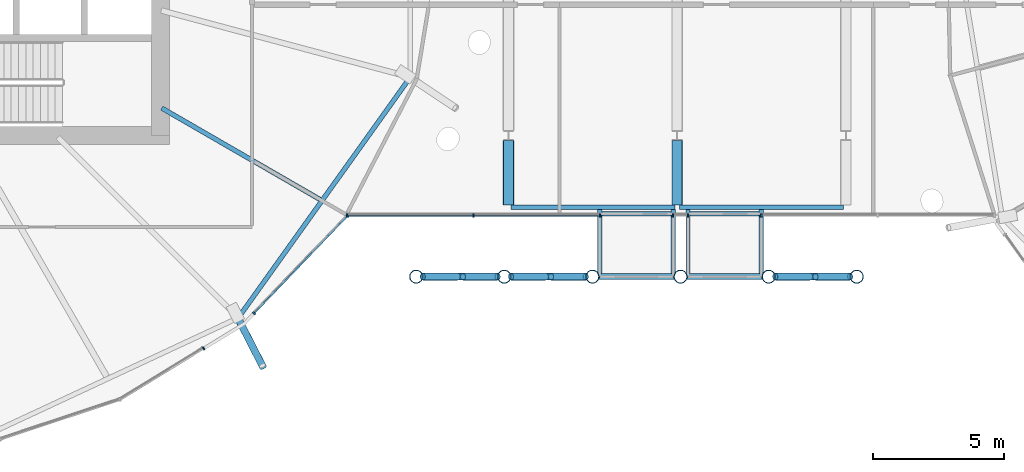
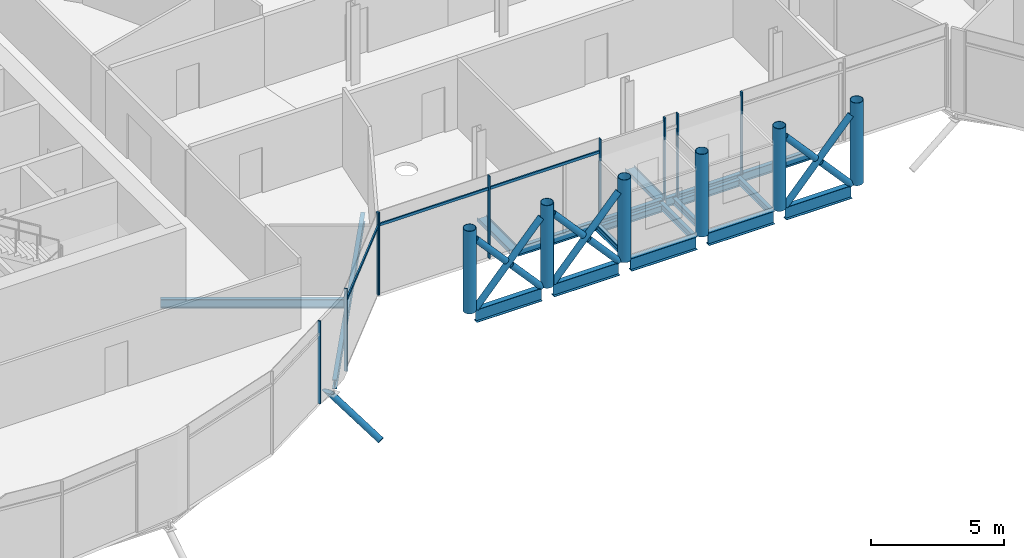
# One storey, part 6 of 40: 28 members, 17 beams, 2 elements without a shape of their own.
"""IFC4 building model written with IfcOpenShell, lengths in metres."""

from ifc_helpers import new_model, si_unit, direction, frame, origin, origin_2d, place, context, subcontext, project, spatial, rectangle, hollow_circle, i_section, extrude, clip, halfspace, material, material_profile, profile_set, type_object, element, aggregate, save


model = new_model("IFC4")

# Units and contexts
model_context = context("Model", 3, precision=1e-05, world=origin(), true_north=direction((0.0, 1.0)))
body_context = subcontext(model_context, "Body", "Model", "MODEL_VIEW")
ifc_project = project(units=[si_unit("LENGTHUNIT", "METRE"), si_unit("AREAUNIT", "SQUARE_METRE"), si_unit("VOLUMEUNIT", "CUBIC_METRE"), si_unit("PLANEANGLEUNIT", "RADIAN"), si_unit("MASSUNIT", "GRAM", prefix="KILO")], contexts=[model_context])

# Site, building, storey
site_placement = place(None, origin())
site = spatial("IfcSite", under=ifc_project, at=site_placement, CompositionType="ELEMENT")
building_placement = place(site_placement, origin())
building = spatial("IfcBuilding", under=site, at=building_placement, Name="Rimbun Link Towers", CompositionType="ELEMENT")
storey_placement = place(building_placement, frame((0.0, 0.0, 150.60009765625)))
storey = spatial("IfcBuildingStorey", under=building, at=storey_placement, Name="L36", CompositionType="ELEMENT", Elevation=150.60009765625)

# Curtain wall, members
ifc_material_1 = material(Name="Aluminium 6063-T6 and low-iron glass", Category="aluminium")
curtain_wall_type = type_object("IfcCurtainWallType", Name="CW4 link block wall", PredefinedType="NOTDEFINED", material=ifc_material_1)
curtain_wall_1_placement = place(storey_placement, origin())
curtain_wall_1 = element("IfcCurtainWall", 1, at=curtain_wall_1_placement, inside=storey, type_object=curtain_wall_type, Name="CW4 L36 T1", PredefinedType="NOTDEFINED")
ifc_material_2 = material(Name="Aluminium 6063-T6", Category="aluminium")
ifc_material_profile_1 = material_profile(ifc_material_2, rectangle(XDim=0.1201171875, YDim=0.06005859375, at=origin_2d()), Name="MULLION 60X120")
ifc_profile_set_1 = profile_set([ifc_material_profile_1], Name="Aluminium 6063-T6")
member_type_1 = type_object("IfcMemberType", Name="CW4 mullion 60X120", PredefinedType="MULLION", material=ifc_profile_set_1)
member_1_placement = place(storey_placement, frame((-18.098388671875, -16.147216796875, 0.0), z_axis=(0.0, 0.0, 1.0), x_axis=(0.523225378089, -0.852194346217, 0.0)))
member_1 = element("IfcMember", 2, at=member_1_placement, type_object=member_type_1, Name="CW4 mullion", PredefinedType="MULLION", context=body_context, shape_type="SweptSolid", body=[
    extrude(rectangle(XDim=0.1201171875, YDim=0.06005859375, at=origin_2d()), origin(), (0.0, 0.0, 1.0), 3.7998046875),
])
member_2_placement = place(storey_placement, frame((-12.599853515625, -11.07275390625, 0.0), z_axis=(0.0, 0.0, 1.0), x_axis=(0.721858090698, -0.692041109252, 0.0)))
member_2 = element("IfcMember", 3, at=member_2_placement, type_object=member_type_1, Name="CW4 mullion", PredefinedType="MULLION", context=body_context, shape_type="SweptSolid", body=[
    extrude(rectangle(XDim=0.1201171875, YDim=0.06005859375, at=origin_2d()), origin(), (0.0, 0.0, 1.0), 3.7998046875),
])
member_3_placement = place(storey_placement, frame((-16.171875, -14.798583984375, 0.0), z_axis=(0.0, 0.0, 1.0), x_axis=(0.721858090698, -0.692041109252, 0.0)))
member_3 = element("IfcMember", 4, at=member_3_placement, type_object=member_type_1, Name="CW4 mullion", PredefinedType="MULLION", context=body_context, shape_type="SweptSolid", body=[
    extrude(rectangle(XDim=0.1201171875, YDim=0.06005859375, at=origin_2d()), origin(), (0.0, 0.0, 1.0), 3.7998046875),
])

curtain_wall_2_placement = place(storey_placement, origin())
curtain_wall_2 = element("IfcCurtainWall", 5, at=curtain_wall_2_placement, inside=storey, type_object=curtain_wall_type, Name="CW4 L36 LB", PredefinedType="NOTDEFINED")
member_4_placement = place(storey_placement, frame((3.21337890625, -11.06005859375, 0.0), z_axis=(0.0, 0.0, 1.0), x_axis=(0.0, -1.0, 0.0)))
member_4 = element("IfcMember", 6, at=member_4_placement, type_object=member_type_1, Name="CW4 mullion", PredefinedType="MULLION", context=body_context, shape_type="SweptSolid", body=[
    extrude(rectangle(XDim=0.1201171875, YDim=0.06005859375, at=origin_2d()), origin(), (0.0, 0.0, 1.0), 3.7998046875),
])
member_5_placement = place(storey_placement, frame((0.413330078125, -11.06005859375, 0.0), z_axis=(0.0, 0.0, 1.0), x_axis=(0.0, -1.0, 0.0)))
member_5 = element("IfcMember", 7, at=member_5_placement, type_object=member_type_1, Name="CW4 mullion", PredefinedType="MULLION", context=body_context, shape_type="SweptSolid", body=[
    extrude(rectangle(XDim=0.1201171875, YDim=0.06005859375, at=origin_2d()), origin(), (0.0, 0.0, 1.0), 3.7998046875),
])
member_6_placement = place(storey_placement, frame((-0.15576171875, -11.06005859375, 0.0), z_axis=(0.0, 0.0, 1.0), x_axis=(0.0, -1.0, 0.0)))
member_6 = element("IfcMember", 8, at=member_6_placement, type_object=member_type_1, Name="CW4 mullion", PredefinedType="MULLION", context=body_context, shape_type="SweptSolid", body=[
    extrude(rectangle(XDim=0.1201171875, YDim=0.06005859375, at=origin_2d()), origin(), (0.0, 0.0, 1.0), 3.7998046875),
])
member_7_placement = place(storey_placement, frame((-2.95556640625, -11.06005859375, 0.0), z_axis=(0.0, 0.0, 1.0), x_axis=(0.0, -1.0, 0.0)))
member_7 = element("IfcMember", 9, at=member_7_placement, type_object=member_type_1, Name="CW4 mullion", PredefinedType="MULLION", context=body_context, shape_type="SweptSolid", body=[
    extrude(rectangle(XDim=0.1201171875, YDim=0.06005859375, at=origin_2d()), origin(), (0.0, 0.0, 1.0), 3.7998046875),
])
member_8_placement = place(storey_placement, frame((-7.791259765625, -11.06005859375, 0.0), z_axis=(0.0, 0.0, 1.0), x_axis=(0.0, -1.0, 0.0)))
member_8 = element("IfcMember", 10, at=member_8_placement, type_object=member_type_1, Name="CW4 mullion", PredefinedType="MULLION", context=body_context, shape_type="SweptSolid", body=[
    extrude(rectangle(XDim=0.1201171875, YDim=0.06005859375, at=origin_2d()), origin(), (0.0, 0.0, 1.0), 3.7998046875),
])
member_9_placement = place(storey_placement, frame((-12.626953125, -11.06005859375, 0.0), z_axis=(0.0, 0.0, 1.0), x_axis=(0.0, -1.0, 0.0)))
member_9 = element("IfcMember", 11, at=member_9_placement, type_object=member_type_1, Name="CW4 mullion", PredefinedType="MULLION", context=body_context, shape_type="SweptSolid", body=[
    extrude(rectangle(XDim=0.1201171875, YDim=0.06005859375, at=origin_2d()), origin(), (0.0, 0.0, 1.0), 3.7998046875),
])

# Member
ifc_material_3 = material(Name="Aluminium 6063-T6", Category="aluminium")
ifc_material_profile_2 = material_profile(ifc_material_3, rectangle(XDim=0.06005859375, YDim=0.1201171875, at=origin_2d()), Name="TRANSOM 60X120")
ifc_profile_set_2 = profile_set([ifc_material_profile_2], Name="Aluminium 6063-T6")
member_type_2 = type_object("IfcMemberType", Name="CW4 transom 60X120", PredefinedType="USERDEFINED", material=ifc_profile_set_2)
member_10_placement = place(storey_placement, frame((-12.6220703125, -11.093017578125, 3.199951171875), z_axis=(-0.692042551771, -0.72185670776, 0.0), x_axis=(0.72185670776, -0.692042551771, 0.0)))
member_10 = element("IfcMember", 12, at=member_10_placement, type_object=member_type_2, Name="CW4 transom", ObjectType="TRANSOM", PredefinedType="USERDEFINED", context=body_context, shape_type="SweptSolid", body=[
    extrude(rectangle(XDim=0.06005859375, YDim=0.1201171875, at=origin_2d()), origin(), (0.0, 0.0, 1.0), 5.1015625),
])

aggregate(curtain_wall_1, [member_1, member_2, member_3, member_10])

member_11_placement = place(storey_placement, frame((-2.985595703125, -11.05810546875, 3.199951171875), z_axis=(-1.0, 0.0, 0.0), x_axis=(0.0, -1.0, 0.0)))
member_11 = element("IfcMember", 13, at=member_11_placement, type_object=member_type_2, Name="CW4 transom", ObjectType="TRANSOM", PredefinedType="USERDEFINED", context=body_context, shape_type="SweptSolid", body=[
    extrude(rectangle(XDim=0.06005859375, YDim=0.1201171875, at=origin_2d()), origin(), (0.0, 0.0, 1.0), 4.775634765625),
])

member_12_placement = place(storey_placement, frame((-7.8212890625, -11.05810546875, 3.199951171875), z_axis=(-1.0, 0.0, 0.0), x_axis=(0.0, -1.0, 0.0)))
member_12 = element("IfcMember", 14, at=member_12_placement, type_object=member_type_2, Name="CW4 transom", ObjectType="TRANSOM", PredefinedType="USERDEFINED", context=body_context, shape_type="SweptSolid", body=[
    extrude(rectangle(XDim=0.06005859375, YDim=0.1201171875, at=origin_2d()), origin(), (0.0, 0.0, 1.0), 4.775634765625),
])

aggregate(curtain_wall_2, [member_4, member_5, member_6, member_7, member_8, member_9, member_11, member_12])

# Beams
ifc_material_4 = material(Name="Steel S355J2", Category="steel")
ifc_material_profile_3 = material_profile(ifc_material_4, i_section(OverallWidth=0.1650390625, OverallDepth=0.303466796875, WebThickness=0.006103515625, FlangeThickness=0.01025390625, at=origin_2d()), Name="UB 305x165x40")
ifc_profile_set_3 = profile_set([ifc_material_profile_3], Name="Steel S355J2")
beam_type_1 = type_object("IfcBeamType", Name="Capsule bracket beam UB 305x165x40", PredefinedType="BEAM", material=ifc_profile_set_3)
for number, where, z_axis, x_axis, name in (
    (15, (-2.95556640625, -10.8349609375, -0.371826171875), (0.0, -1.0, 0.0), (1.0, 0.0, 0.0), "Capsule F36.11 bracket beam 1"),
    (16, (-0.15576171875, -10.8349609375, -0.371826171875), (0.0, -1.0, 0.0), (1.0, 0.0, 0.0), "Capsule F36.11 bracket beam 2"),
):
    element("IfcBeam", number, at=place(storey_placement, frame(where, z_axis=z_axis, x_axis=x_axis)), inside=storey, type_object=beam_type_1, Name=name, PredefinedType="BEAM", context=body_context, shape_type="SweptSolid", body=[
        extrude(i_section(OverallWidth=0.1650390625, OverallDepth=0.303466796875, WebThickness=0.006103515625, FlangeThickness=0.01025390625, at=origin_2d()), origin(), (0.0, 0.0, 1.0), 2.451171875),
    ])
beam_1_placement = place(storey_placement, frame((-2.873046875, -11.0, -0.371826171875), z_axis=(1.0, 0.0, 0.0), x_axis=(0.0, 1.0, 0.0)))
element("IfcBeam", 17, at=beam_1_placement, inside=storey, type_object=beam_type_1, Name="Capsule F36.11 bracket beam 3", PredefinedType="BEAM", context=body_context, shape_type="SweptSolid", body=[
    extrude(i_section(OverallWidth=0.1650390625, OverallDepth=0.303466796875, WebThickness=0.006103515625, FlangeThickness=0.01025390625, at=origin_2d()), origin(), (0.0, 0.0, 1.0), 2.635009765625),
])
for number, where, z_axis, x_axis, name in (
    (18, (0.413330078125, -10.8349609375, -0.371826171875), (0.0, -1.0, 0.0), (1.0, 0.0, 0.0), "Capsule F36.12 bracket beam 1"),
    (19, (3.21337890625, -10.8349609375, -0.371826171875), (0.0, -1.0, 0.0), (1.0, 0.0, 0.0), "Capsule F36.12 bracket beam 2"),
):
    element("IfcBeam", number, at=place(storey_placement, frame(where, z_axis=z_axis, x_axis=x_axis)), inside=storey, type_object=beam_type_1, Name=name, PredefinedType="BEAM", context=body_context, shape_type="SweptSolid", body=[
        extrude(i_section(OverallWidth=0.1650390625, OverallDepth=0.303466796875, WebThickness=0.006103515625, FlangeThickness=0.01025390625, at=origin_2d()), origin(), (0.0, 0.0, 1.0), 2.451171875),
    ])
beam_2_placement = place(storey_placement, frame((0.495849609375, -11.0, -0.371826171875), z_axis=(1.0, 0.0, 0.0), x_axis=(0.0, 1.0, 0.0)))
element("IfcBeam", 20, at=beam_2_placement, inside=storey, type_object=beam_type_1, Name="Capsule F36.12 bracket beam 3", PredefinedType="BEAM", context=body_context, shape_type="SweptSolid", body=[
    extrude(i_section(OverallWidth=0.1650390625, OverallDepth=0.303466796875, WebThickness=0.006103515625, FlangeThickness=0.01025390625, at=origin_2d()), origin(), (0.0, 0.0, 1.0), 2.635009765625),
])

# Member
ifc_material_5 = material(Name="Steel S355J2H", Category="steel")
ifc_material_profile_4 = material_profile(ifc_material_5, hollow_circle(Radius=0.136474609375, WallThickness=0.012451171875, at=origin_2d()), Name="CHS 273x12.5")
ifc_profile_set_4 = profile_set([ifc_material_profile_4], Name="Steel S355J2H")
member_type_3 = type_object("IfcMemberType", Name="Floor edge link CHS 273x12.5", PredefinedType="BRACE", material=ifc_profile_set_4)
member_13_placement = place(storey_placement, frame((-16.81298828125, -14.93701171875, -0.8310546875), z_axis=(0.394942777673, -0.772022835281, -0.497996931886), x_axis=(0.890269507459, 0.455434083144, 0.0)))
element("IfcMember", 21, at=member_13_placement, inside=storey, type_object=member_type_3, Name="Floor edge link T1 L36 21", PredefinedType="BRACE", context=body_context, shape_type="Clipping", body=[
    clip(extrude(hollow_circle(Radius=0.136474609375, WallThickness=0.012451171875, at=origin_2d()), frame((0.0, 0.0, -0.495361328125)), (0.0, 0.0, 1.0), 2.98291015625), halfspace(frame((0.0, 0.0, -0.232666015625), z_axis=(0.0, 0.867178791157, -0.497996931886)), False)),
])

# Beams
ifc_material_6 = material(Name="Steel S355J2", Category="steel")
ifc_material_profile_5 = material_profile(ifc_material_6, i_section(OverallWidth=0.177978515625, OverallDepth=0.406494140625, WebThickness=0.0078125, FlangeThickness=0.0126953125, at=origin_2d()), Name="UKB 406x178x60")
ifc_profile_set_5 = profile_set([ifc_material_profile_5], Name="Steel S355J2")
beam_type_2 = type_object("IfcBeamType", Name="Link floor beam UKB 406x178x60", PredefinedType="BEAM", material=ifc_profile_set_5)
for number, where, z_axis, x_axis, name in (
    (22, (-6.449951171875, -10.660888671875, -0.36328125), (0.0, 1.0, 0.0), (0.0, 0.0, 1.0), "Link floor beam L36 00"),
    (23, (0.0, -10.660888671875, -0.36328125), (0.0, 1.0, 0.0), (0.0, 0.0, 1.0), "Link floor beam L36 04"),
):
    element("IfcBeam", number, at=place(storey_placement, frame(where, z_axis=z_axis, x_axis=x_axis)), inside=storey, type_object=beam_type_2, Name=name, PredefinedType="BEAM", context=body_context, shape_type="SweptSolid", body=[
        extrude(i_section(OverallWidth=0.177978515625, OverallDepth=0.406494140625, WebThickness=0.0078125, FlangeThickness=0.0126953125, at=origin_2d()), origin(), (0.0, 0.0, 1.0), 2.473388671875),
    ])
for number, where, z_axis, x_axis, name in (
    (24, (-6.361083984375, -10.75, -0.36328125), (1.0, 0.0, 0.0), (0.0, 1.0, 0.0), "Link edge beam L36 12"),
    (25, (0.089111328125, -10.75, -0.36328125), (1.0, 0.0, 0.0), (0.0, 1.0, 0.0), "Link edge beam L36 13"),
):
    element("IfcBeam", number, at=place(storey_placement, frame(where, z_axis=z_axis, x_axis=x_axis)), inside=storey, type_object=beam_type_2, Name=name, PredefinedType="BEAM", context=body_context, shape_type="SweptSolid", body=[
        extrude(i_section(OverallWidth=0.177978515625, OverallDepth=0.406494140625, WebThickness=0.0078125, FlangeThickness=0.0126953125, at=origin_2d()), origin(), (0.0, 0.0, 1.0), 6.27197265625),
    ])

# Members
ifc_material_7 = material(Name="Steel S355J2H", Category="steel")
ifc_material_profile_6 = material_profile(ifc_material_7, hollow_circle(Radius=0.136474609375, WallThickness=0.012451171875, at=origin_2d()), Name="CHS 273x12.5")
ifc_profile_set_6 = profile_set([ifc_material_profile_6], Name="Steel S355J2H")
member_type_4 = type_object("IfcMemberType", Name="Link megaframe brace CHS 273x12.5", PredefinedType="BRACE", material=ifc_profile_set_6)
member_14_placement = place(storey_placement, frame((-9.72412109375, -13.39990234375, -0.22021484375), z_axis=(0.666814818111, 0.0, 0.745223455312), x_axis=(0.0, 1.0, 0.0)))
element("IfcMember", 26, at=member_14_placement, inside=storey, type_object=member_type_4, Name="Link megaframe brace S0-1 bay 5.1", PredefinedType="BRACE", context=body_context, shape_type="SweptSolid", body=[
    extrude(hollow_circle(Radius=0.136474609375, WallThickness=0.012451171875, at=origin_2d()), origin(), (0.0, 0.0, 1.0), 4.290771484375),
])
member_15_placement = place(storey_placement, frame((-6.863037109375, -13.39990234375, -0.22021484375), z_axis=(-0.666766175991, 0.0, 0.745266976696), x_axis=(0.0, -1.0, 0.0)))
element("IfcMember", 27, at=member_15_placement, inside=storey, type_object=member_type_4, Name="Link megaframe brace S0-1 bay 5.2a", PredefinedType="BRACE", context=body_context, shape_type="SweptSolid", body=[
    extrude(hollow_circle(Radius=0.136474609375, WallThickness=0.012451171875, at=origin_2d()), origin(), (0.0, 0.0, 1.0), 1.990478515625),
])
member_16_placement = place(storey_placement, frame((-8.39697265625, -13.39990234375, 1.494140625), z_axis=(-0.666827130153, 0.0, 0.745212438498), x_axis=(0.0, -1.0, 0.0)))
element("IfcMember", 28, at=member_16_placement, inside=storey, type_object=member_type_4, Name="Link megaframe brace S0-1 bay 5.2b", PredefinedType="BRACE", context=body_context, shape_type="SweptSolid", body=[
    extrude(hollow_circle(Radius=0.136474609375, WallThickness=0.012451171875, at=origin_2d()), origin(), (0.0, 0.0, 1.0), 1.990234375),
])
member_17_placement = place(storey_placement, frame((-6.35498046875, -13.39990234375, -0.22021484375), z_axis=(0.666783216266, 0.0, 0.745251730964), x_axis=(0.0, 1.0, 0.0)))
element("IfcMember", 29, at=member_17_placement, inside=storey, type_object=member_type_4, Name="Link megaframe brace S1-2 bay 5.1", PredefinedType="BRACE", context=body_context, shape_type="SweptSolid", body=[
    extrude(hollow_circle(Radius=0.136474609375, WallThickness=0.012451171875, at=origin_2d()), origin(), (0.0, 0.0, 1.0), 4.29052734375),
])
member_18_placement = place(storey_placement, frame((-3.494140625, -13.39990234375, -0.22021484375), z_axis=(-0.666766175991, 0.0, 0.745266976696), x_axis=(0.0, -1.0, 0.0)))
element("IfcMember", 30, at=member_18_placement, inside=storey, type_object=member_type_4, Name="Link megaframe brace S1-2 bay 5.2a", PredefinedType="BRACE", context=body_context, shape_type="SweptSolid", body=[
    extrude(hollow_circle(Radius=0.136474609375, WallThickness=0.012451171875, at=origin_2d()), origin(), (0.0, 0.0, 1.0), 1.990478515625),
])
member_19_placement = place(storey_placement, frame((-5.028076171875, -13.39990234375, 1.494140625), z_axis=(-0.666758998756, 0.0, 0.745273397874), x_axis=(0.0, -1.0, 0.0)))
element("IfcMember", 31, at=member_19_placement, inside=storey, type_object=member_type_4, Name="Link megaframe brace S1-2 bay 5.2b", PredefinedType="BRACE", context=body_context, shape_type="SweptSolid", body=[
    extrude(hollow_circle(Radius=0.136474609375, WallThickness=0.012451171875, at=origin_2d()), origin(), (0.0, 0.0, 1.0), 1.989990234375),
])
member_20_placement = place(storey_placement, frame((3.751708984375, -13.39990234375, -0.22021484375), z_axis=(0.666814818111, 0.0, 0.745223455312), x_axis=(0.0, 1.0, 0.0)))
element("IfcMember", 32, at=member_20_placement, inside=storey, type_object=member_type_4, Name="Link megaframe brace S4-5 bay 5.1", PredefinedType="BRACE", context=body_context, shape_type="SweptSolid", body=[
    extrude(hollow_circle(Radius=0.136474609375, WallThickness=0.012451171875, at=origin_2d()), origin(), (0.0, 0.0, 1.0), 4.290771484375),
])
member_21_placement = place(storey_placement, frame((6.61279296875, -13.39990234375, -0.22021484375), z_axis=(-0.666766175991, 0.0, 0.745266976696), x_axis=(0.0, -1.0, 0.0)))
element("IfcMember", 33, at=member_21_placement, inside=storey, type_object=member_type_4, Name="Link megaframe brace S4-5 bay 5.2a", PredefinedType="BRACE", context=body_context, shape_type="SweptSolid", body=[
    extrude(hollow_circle(Radius=0.136474609375, WallThickness=0.012451171875, at=origin_2d()), origin(), (0.0, 0.0, 1.0), 1.990478515625),
])
member_22_placement = place(storey_placement, frame((5.078857421875, -13.39990234375, 1.494140625), z_axis=(-0.666827130153, 0.0, 0.745212438498), x_axis=(0.0, -1.0, 0.0)))
element("IfcMember", 34, at=member_22_placement, inside=storey, type_object=member_type_4, Name="Link megaframe brace S4-5 bay 5.2b", PredefinedType="BRACE", context=body_context, shape_type="SweptSolid", body=[
    extrude(hollow_circle(Radius=0.136474609375, WallThickness=0.012451171875, at=origin_2d()), origin(), (0.0, 0.0, 1.0), 1.990234375),
])
ifc_material_8 = material(Name="Steel S355J2H", Category="steel")
ifc_material_profile_7 = material_profile(ifc_material_8, hollow_circle(Radius=0.25390625, WallThickness=0.02001953125, at=origin_2d()), Name="CHS 508x20")
ifc_profile_set_7 = profile_set([ifc_material_profile_7], Name="Steel S355J2H")
member_type_5 = type_object("IfcMemberType", Name="Link megaframe post CHS 508x20", PredefinedType="POST", material=ifc_profile_set_7)
for number, where, z_axis, x_axis, name in (
    (35, (-9.97802734375, -13.39990234375, -0.22021484375), (0.0, 0.0, 1.0), (1.0, 0.0, 0.0), "Link megaframe post S0 bay 5"),
    (36, (-6.609130859375, -13.39990234375, -0.22021484375), (0.0, 0.0, 1.0), (1.0, 0.0, 0.0), "Link megaframe post S1 bay 5"),
    (37, (-3.239990234375, -13.39990234375, -0.22021484375), (0.0, 0.0, 1.0), (1.0, 0.0, 0.0), "Link megaframe post S2 bay 5"),
    (38, (0.12890625, -13.39990234375, -0.22021484375), (0.0, 0.0, 1.0), (1.0, 0.0, 0.0), "Link megaframe post S3 bay 5"),
    (39, (3.497802734375, -13.39990234375, -0.22021484375), (0.0, 0.0, 1.0), (1.0, 0.0, 0.0), "Link megaframe post S4 bay 5"),
    (40, (6.86669921875, -13.39990234375, -0.22021484375), (0.0, 0.0, 1.0), (1.0, 0.0, 0.0), "Link megaframe post S5 bay 5"),
):
    element("IfcMember", number, at=place(storey_placement, frame(where, z_axis=z_axis, x_axis=x_axis)), inside=storey, type_object=member_type_5, Name=name, PredefinedType="POST", context=body_context, shape_type="SweptSolid", body=[
        extrude(hollow_circle(Radius=0.25390625, WallThickness=0.02001953125, at=origin_2d()), origin(), (0.0, 0.0, 1.0), 3.800048828125),
    ])

# Beams
ifc_material_9 = material(Name="Steel S355J2", Category="steel")
ifc_material_profile_8 = material_profile(ifc_material_9, i_section(OverallWidth=0.2275390625, OverallDepth=0.6025390625, WebThickness=0.010498046875, FlangeThickness=0.014892578125, at=origin_2d()), Name="UB 610x229x101")
ifc_profile_set_8 = profile_set([ifc_material_profile_8], Name="Steel S355J2")
beam_type_3 = type_object("IfcBeamType", Name="Link megaframe ring beam UB 610x229x101", PredefinedType="BEAM", material=ifc_profile_set_8)
beam_3_placement = place(storey_placement, frame((-9.72412109375, -13.39990234375, -0.521484375), z_axis=(1.0, 0.0, 0.0), x_axis=(0.0, 1.0, 0.0)))
element("IfcBeam", 41, at=beam_3_placement, inside=storey, type_object=beam_type_3, Name="Link megaframe ring beam S0-1 L36", PredefinedType="BEAM", context=body_context, shape_type="SweptSolid", body=[
    extrude(i_section(OverallWidth=0.2275390625, OverallDepth=0.6025390625, WebThickness=0.010498046875, FlangeThickness=0.014892578125, at=origin_2d()), origin(), (0.0, 0.0, 1.0), 2.861083984375),
])
for number, where, z_axis, x_axis, name in (
    (42, (-6.35498046875, -13.39990234375, -0.521484375), (1.0, 0.0, 0.0), (0.0, 1.0, 0.0), "Link megaframe ring beam S1-2 L36"),
    (43, (-2.986083984375, -13.39990234375, -0.521484375), (1.0, 0.0, 0.0), (0.0, 1.0, 0.0), "Link megaframe ring beam S2-3 L36"),
):
    element("IfcBeam", number, at=place(storey_placement, frame(where, z_axis=z_axis, x_axis=x_axis)), inside=storey, type_object=beam_type_3, Name=name, PredefinedType="BEAM", context=body_context, shape_type="SweptSolid", body=[
        extrude(i_section(OverallWidth=0.2275390625, OverallDepth=0.6025390625, WebThickness=0.010498046875, FlangeThickness=0.014892578125, at=origin_2d()), origin(), (0.0, 0.0, 1.0), 2.86083984375),
    ])
for number, where, z_axis, x_axis, name in (
    (44, (0.3828125, -13.39990234375, -0.521484375), (1.0, 0.0, 0.0), (0.0, 1.0, 0.0), "Link megaframe ring beam S3-4 L36"),
    (45, (3.751708984375, -13.39990234375, -0.521484375), (1.0, 0.0, 0.0), (0.0, 1.0, 0.0), "Link megaframe ring beam S4-5 L36"),
):
    element("IfcBeam", number, at=place(storey_placement, frame(where, z_axis=z_axis, x_axis=x_axis)), inside=storey, type_object=beam_type_3, Name=name, PredefinedType="BEAM", context=body_context, shape_type="SweptSolid", body=[
        extrude(i_section(OverallWidth=0.2275390625, OverallDepth=0.6025390625, WebThickness=0.010498046875, FlangeThickness=0.014892578125, at=origin_2d()), origin(), (0.0, 0.0, 1.0), 2.861083984375),
    ])
ifc_material_10 = material(Name="Steel S355J2", Category="steel")
ifc_material_profile_9 = material_profile(ifc_material_10, i_section(OverallWidth=0.177978515625, OverallDepth=0.406494140625, WebThickness=0.0078125, FlangeThickness=0.0126953125, at=origin_2d()), Name="UB 406x178x60")
ifc_profile_set_9 = profile_set([ifc_material_profile_9], Name="Steel S355J2")
beam_type_4 = type_object("IfcBeamType", Name="UB 406x178x60", PredefinedType="BEAM", material=ifc_profile_set_9)
beam_4_placement = place(storey_placement, frame((-19.70458984375, -6.954345703125, -0.38330078125), z_axis=(0.866015068498, -0.500017900814, 0.0), x_axis=(0.500017900814, 0.866015068498, 0.0)))
element("IfcBeam", 46, at=beam_4_placement, inside=storey, type_object=beam_type_4, Name="Radial beam T1 L36 22", PredefinedType="BEAM", context=body_context, shape_type="SweptSolid", body=[
    extrude(i_section(OverallWidth=0.177978515625, OverallDepth=0.406494140625, WebThickness=0.0078125, FlangeThickness=0.0126953125, at=origin_2d()), origin(), (0.0, 0.0, 1.0), 6.986083984375),
])
beam_5_placement = place(storey_placement, frame((-16.71533203125, -14.88525390625, -0.38330078125), z_axis=(0.581402745389, 0.81361590917, 0.0), x_axis=(-0.81361590917, 0.581402745389, 0.0)))
element("IfcBeam", 47, at=beam_5_placement, inside=storey, type_object=beam_type_4, Name="Edge beam T1 L36 21-23", PredefinedType="BEAM", context=body_context, shape_type="SweptSolid", body=[
    extrude(i_section(OverallWidth=0.177978515625, OverallDepth=0.406494140625, WebThickness=0.0078125, FlangeThickness=0.0126953125, at=origin_2d()), origin(), (0.0, 0.0, 1.0), 11.086669921875),
])

save(model, "model.ifc")
